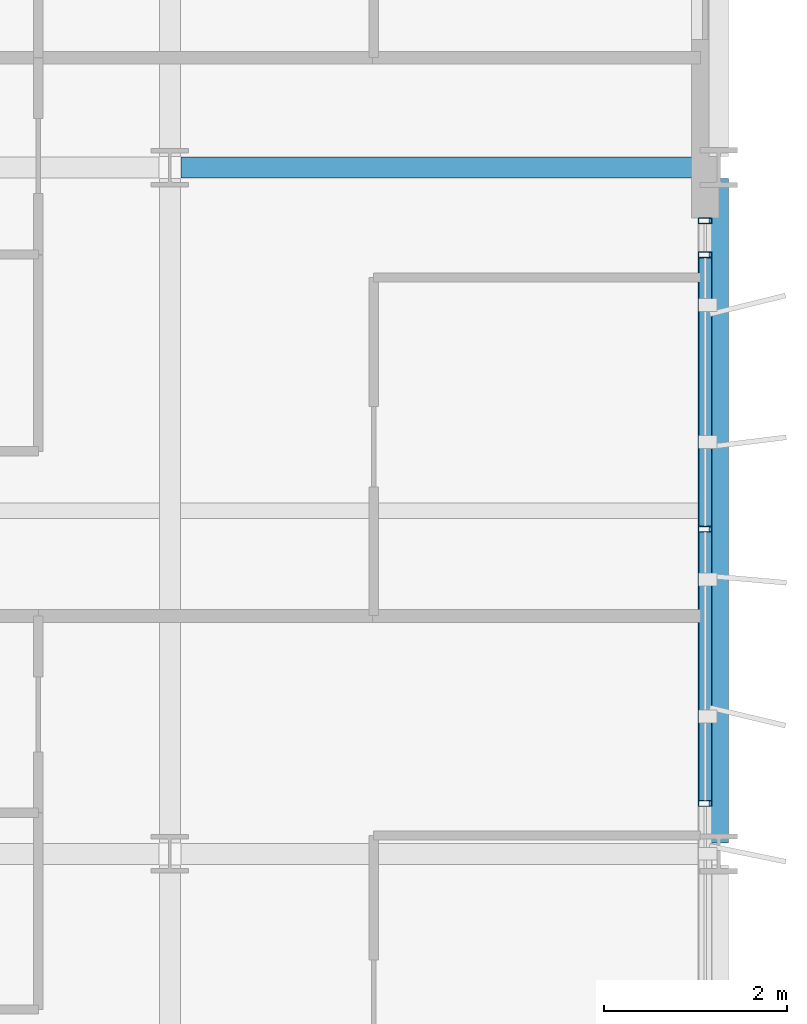
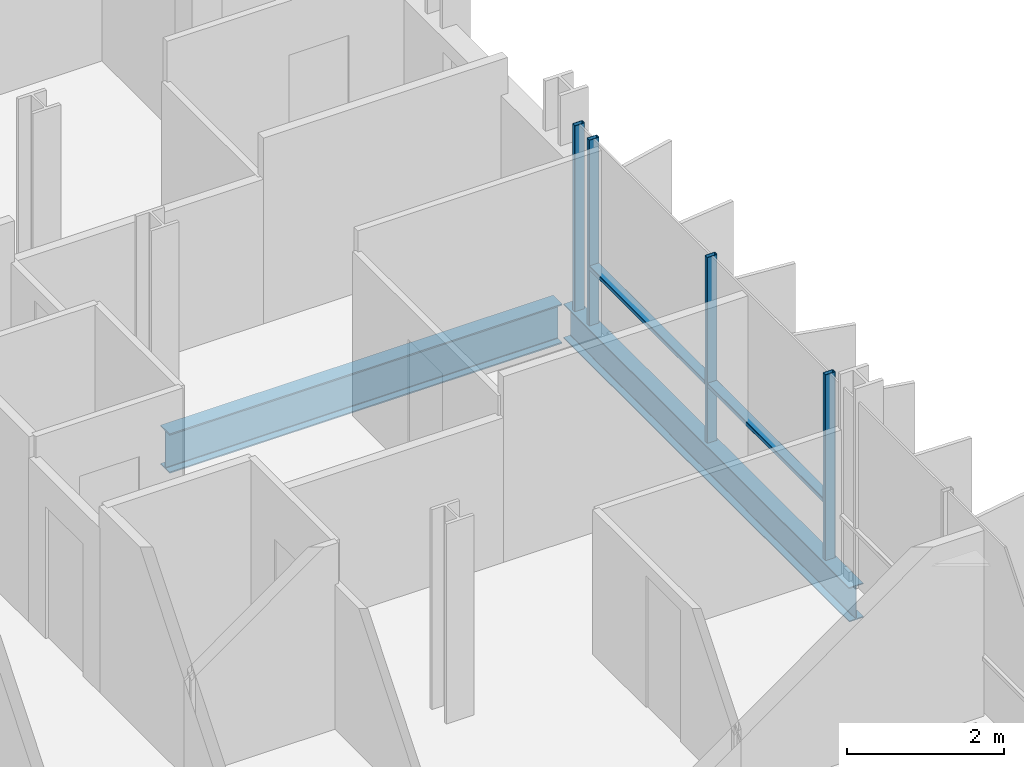
# One storey, part 19 of 39: 6 members, 2 beams, 1 element without a shape of its own.
"""IFC4 building model written with IfcOpenShell, lengths in metres."""

from ifc_helpers import new_model, si_unit, direction, frame, origin, origin_2d, place, context, subcontext, project, spatial, hollow_rectangle, i_section, extrude, material, layer, layer_set, material_profile, profile_set, type_object, element, aggregate, save


model = new_model("IFC4")

# Units and contexts
model_context = context("Model", 3, precision=1e-05, world=origin(), true_north=direction((0.0, 1.0)))
body_context = subcontext(model_context, "Body", "Model", "MODEL_VIEW")
ifc_project = project(units=[si_unit("LENGTHUNIT", "METRE"), si_unit("AREAUNIT", "SQUARE_METRE"), si_unit("VOLUMEUNIT", "CUBIC_METRE"), si_unit("PLANEANGLEUNIT", "RADIAN"), si_unit("MASSUNIT", "GRAM", prefix="KILO")], contexts=[model_context])

# Site, building, storey
site_placement = place(None, origin())
site = spatial("IfcSite", under=ifc_project, at=site_placement, CompositionType="ELEMENT")
building_placement = place(site_placement, origin())
building = spatial("IfcBuilding", under=site, at=building_placement, Name="Brevholm Reach", CompositionType="ELEMENT")
storey_placement = place(building_placement, frame((0.0, 0.0, 103.5)))
storey = spatial("IfcBuildingStorey", under=building, at=storey_placement, Name="L30", CompositionType="ELEMENT", Elevation=103.5)

# Beams
ifc_material_1 = material(Name="Structural Steel S355J2", Category="steel")
ifc_material_profile_1 = material_profile(ifc_material_1, i_section(OverallWidth=0.209228515625, OverallDepth=0.533203125, WebThickness=0.010009765625, FlangeThickness=0.015625, FilletRadius=0.0126953125, at=origin_2d()), Name="UKB 533x210x92")
ifc_profile_set_1 = profile_set([ifc_material_profile_1], Name="Structural Steel S355J2")
beam_type_1 = type_object("IfcBeamType", Name="BM-SP533", PredefinedType="SPANDREL", material=ifc_profile_set_1)
beam_1_placement = place(storey_placement, frame((60.0, 16.1201171875, -0.486572265625), z_axis=(0.0, 1.0, 0.0), x_axis=(-1.0, 0.0, 0.0)))
element("IfcBeam", 1, at=beam_1_placement, inside=storey, type_object=beam_type_1, Name="L30 SP-02 Framing Beam", PredefinedType="SPANDREL", context=body_context, shape_type="SweptSolid", body=[
    extrude(i_section(OverallWidth=0.209228515625, OverallDepth=0.533203125, WebThickness=0.010009765625, FlangeThickness=0.015625, FilletRadius=0.0126953125, at=origin_2d()), origin(), (0.0, 0.0, 1.0), 7.259765625),
])
ifc_material_2 = material(Name="Structural Steel S355J2", Category="steel")
ifc_material_profile_2 = material_profile(ifc_material_2, i_section(OverallWidth=0.22900390625, OverallDepth=0.6123046875, WebThickness=0.011962890625, FlangeThickness=0.01953125, FilletRadius=0.0126953125, at=origin_2d()), Name="UKB 610x229x125")
ifc_profile_set_2 = profile_set([ifc_material_profile_2], Name="Structural Steel S355J2")
beam_type_2 = type_object("IfcBeamType", Name="BM-SP610", PredefinedType="SPANDREL", material=ifc_profile_set_2)
beam_2_placement = place(storey_placement, frame((54.1201171875, 23.5, -0.526123046875), z_axis=(1.0, 0.0, 0.0), x_axis=(0.0, 1.0, 0.0)))
element("IfcBeam", 2, at=beam_2_placement, inside=storey, type_object=beam_type_2, Name="L30 SP-01 Framing Beam", PredefinedType="SPANDREL", context=body_context, shape_type="SweptSolid", body=[
    extrude(i_section(OverallWidth=0.22900390625, OverallDepth=0.6123046875, WebThickness=0.011962890625, FlangeThickness=0.01953125, FilletRadius=0.0126953125, at=origin_2d()), origin(), (0.0, 0.0, 1.0), 5.759765625),
])

# Curtain wall, members
ifc_material_3 = material(Name="Dark Anodised Aluminium 6063-T6 and Solar-Control Glass", Category="aluminium")
ifc_layer = layer(ifc_material_3, 0.14990234375)
ifc_layer_set = layer_set([ifc_layer], Name="Dark Anodised Aluminium 6063-T6 and Solar-Control Glass")
curtain_wall_type = type_object("IfcCurtainWallType", Name="CW-01", PredefinedType="NOTDEFINED", material=ifc_layer_set)
curtain_wall_placement = place(storey_placement, origin())
curtain_wall = element("IfcCurtainWall", 3, at=curtain_wall_placement, inside=storey, type_object=curtain_wall_type, Name="L30 Curtain Wall CW-01", PredefinedType="NOTDEFINED")
ifc_material_4 = material(Name="Dark Anodised Aluminium 6063-T6", Category="aluminium")
ifc_material_profile_3 = material_profile(ifc_material_4, hollow_rectangle(XDim=0.06494140625, YDim=0.14990234375, WallThickness=0.0048828125, InnerFilletRadius=0.0048828125, OuterFilletRadius=0.010009765625, at=origin_2d()), Name="RHS 150x65x5")
ifc_profile_set_3 = profile_set([ifc_material_profile_3], Name="Dark Anodised Aluminium 6063-T6")
member_type_1 = type_object("IfcMemberType", Name="CWM-150", PredefinedType="MULLION", material=ifc_profile_set_3)
member_1_placement = place(storey_placement, frame((59.85009765625, 16.550048828125, 0.0), z_axis=(0.0, 0.0, 1.0), x_axis=(0.0, 1.0, 0.0)))
member_1 = element("IfcMember", 4, at=member_1_placement, type_object=member_type_1, Name="CM-150 Mullion 3", PredefinedType="MULLION", context=body_context, shape_type="SweptSolid", body=[
    extrude(hollow_rectangle(XDim=0.06494140625, YDim=0.14990234375, WallThickness=0.0048828125, InnerFilletRadius=0.0048828125, OuterFilletRadius=0.010009765625, at=origin_2d()), origin(), (0.0, 0.0, 1.0), 2.8798828125),
])
member_2_placement = place(storey_placement, frame((59.85009765625, 19.550048828125, 0.0), z_axis=(0.0, 0.0, 1.0), x_axis=(0.0, 1.0, 0.0)))
member_2 = element("IfcMember", 5, at=member_2_placement, type_object=member_type_1, Name="CM-150 Mullion 4", PredefinedType="MULLION", context=body_context, shape_type="SweptSolid", body=[
    extrude(hollow_rectangle(XDim=0.06494140625, YDim=0.14990234375, WallThickness=0.0048828125, InnerFilletRadius=0.0048828125, OuterFilletRadius=0.010009765625, at=origin_2d()), origin(), (0.0, 0.0, 1.0), 2.8798828125),
])
member_3_placement = place(storey_placement, frame((59.85009765625, 22.550048828125, 0.0), z_axis=(0.0, 0.0, 1.0), x_axis=(0.0, 1.0, 0.0)))
member_3 = element("IfcMember", 6, at=member_3_placement, type_object=member_type_1, Name="CM-150 Mullion 5", PredefinedType="MULLION", context=body_context, shape_type="SweptSolid", body=[
    extrude(hollow_rectangle(XDim=0.06494140625, YDim=0.14990234375, WallThickness=0.0048828125, InnerFilletRadius=0.0048828125, OuterFilletRadius=0.010009765625, at=origin_2d()), origin(), (0.0, 0.0, 1.0), 2.8798828125),
])
member_4_placement = place(storey_placement, frame((59.85009765625, 22.91748046875, 0.0), z_axis=(0.0, 0.0, 1.0), x_axis=(0.0, 1.0, 0.0)))
member_4 = element("IfcMember", 7, at=member_4_placement, type_object=member_type_1, Name="CM-150 Mullion 6", PredefinedType="MULLION", context=body_context, shape_type="SweptSolid", body=[
    extrude(hollow_rectangle(XDim=0.06494140625, YDim=0.14990234375, WallThickness=0.0048828125, InnerFilletRadius=0.0048828125, OuterFilletRadius=0.010009765625, at=origin_2d()), origin(), (0.0, 0.0, 1.0), 2.8798828125),
])
ifc_material_5 = material(Name="Dark Anodised Aluminium 6063-T6", Category="aluminium")
ifc_material_profile_4 = material_profile(ifc_material_5, hollow_rectangle(XDim=0.06494140625, YDim=0.14990234375, WallThickness=0.0048828125, InnerFilletRadius=0.0048828125, OuterFilletRadius=0.010009765625, at=origin_2d()), Name="RHS 150x65x5")
ifc_profile_set_4 = profile_set([ifc_material_profile_4], Name="Dark Anodised Aluminium 6063-T6")
member_type_2 = type_object("IfcMemberType", Name="CWT-150", PredefinedType="NOTDEFINED", material=ifc_profile_set_4)
member_5_placement = place(storey_placement, frame((59.85009765625, 16.58251953125, 0.89990234375), z_axis=(0.0, 1.0, 0.0), x_axis=(0.0, 0.0, 1.0)))
member_5 = element("IfcMember", 8, at=member_5_placement, type_object=member_type_2, Name="CT-150 Transom 3.1", ObjectType="TRANSOM", PredefinedType="USERDEFINED", context=body_context, shape_type="SweptSolid", body=[
    extrude(hollow_rectangle(XDim=0.06494140625, YDim=0.14990234375, WallThickness=0.0048828125, InnerFilletRadius=0.0048828125, OuterFilletRadius=0.010009765625, at=origin_2d()), origin(), (0.0, 0.0, 1.0), 2.93505859375),
])
member_6_placement = place(storey_placement, frame((59.85009765625, 19.58251953125, 0.89990234375), z_axis=(0.0, 1.0, 0.0), x_axis=(0.0, 0.0, 1.0)))
member_6 = element("IfcMember", 9, at=member_6_placement, type_object=member_type_2, Name="CT-150 Transom 4.1", ObjectType="TRANSOM", PredefinedType="USERDEFINED", context=body_context, shape_type="SweptSolid", body=[
    extrude(hollow_rectangle(XDim=0.06494140625, YDim=0.14990234375, WallThickness=0.0048828125, InnerFilletRadius=0.0048828125, OuterFilletRadius=0.010009765625, at=origin_2d()), origin(), (0.0, 0.0, 1.0), 2.93505859375),
])
aggregate(curtain_wall, [member_1, member_2, member_3, member_4, member_5, member_6])

save(model, "model.ifc")
